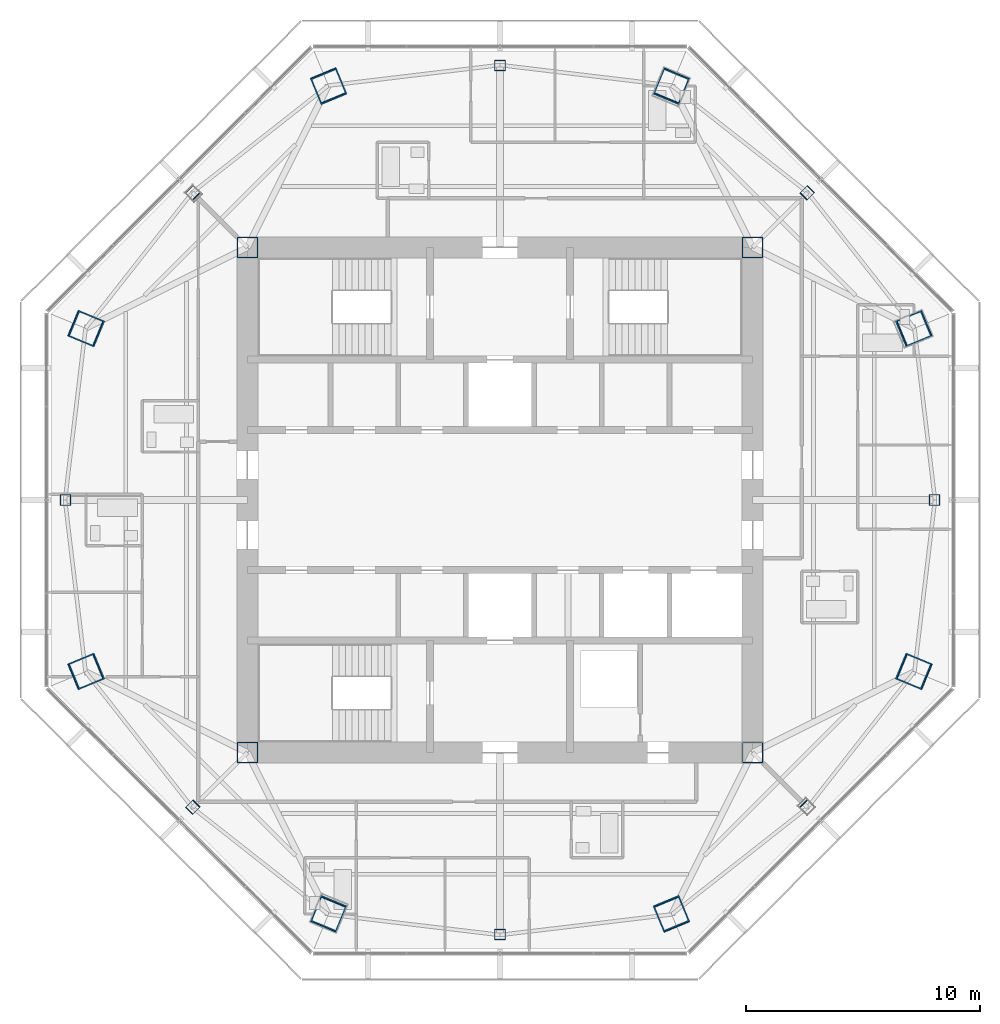
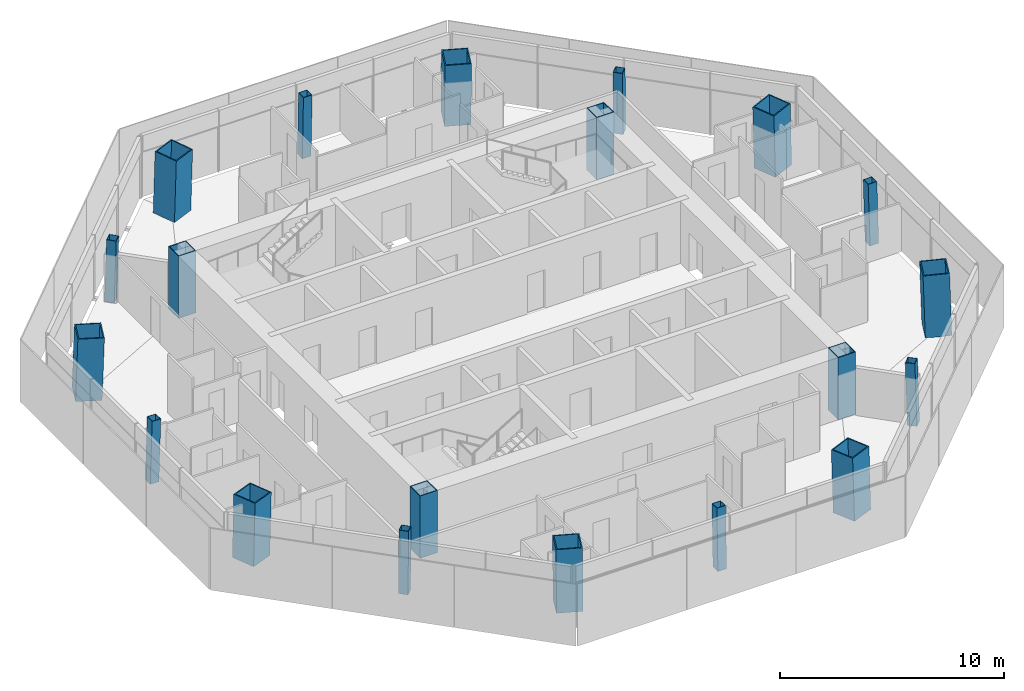
# One storey, part 1 of 15: 20 columns.
"""IFC4 building model written with IfcOpenShell, lengths in metres."""

from ifc_helpers import new_model, si_unit, direction, frame, origin, origin_2d, place, context, subcontext, project, spatial, hollow_rectangle, extrude, material, material_profile, profile_set, type_object, element, save


model = new_model("IFC4")

# Units and contexts
model_context = context("Model", 3, precision=1e-05, world=origin(), true_north=direction((0.0, 1.0)))
body_context = subcontext(model_context, "Body", "Model", "MODEL_VIEW")
ifc_project = project(units=[si_unit("LENGTHUNIT", "METRE"), si_unit("AREAUNIT", "SQUARE_METRE"), si_unit("VOLUMEUNIT", "CUBIC_METRE"), si_unit("PLANEANGLEUNIT", "RADIAN"), si_unit("MASSUNIT", "GRAM", prefix="KILO")], contexts=[model_context])

# Site, building, storey
site_placement = place(None, origin())
site = spatial("IfcSite", under=ifc_project, at=site_placement, CompositionType="ELEMENT")
building_placement = place(site_placement, origin())
building = spatial("IfcBuilding", under=site, at=building_placement, Name="Mashrafa Tower", CompositionType="ELEMENT")
storey_placement = place(building_placement, frame((0.0, 0.0, 304.800048828125)))
storey = spatial("IfcBuildingStorey", under=building, at=storey_placement, Name="L75", CompositionType="ELEMENT", Elevation=304.800048828125)

# Columns
ifc_material_1 = material(Name="Steel ASTM A572 Gr 50", Category="steel")
ifc_material_profile_1 = material_profile(ifc_material_1, hollow_rectangle(XDim=0.89990234375, YDim=0.89990234375, WallThickness=0.0400390625, at=origin_2d()), Name="BOX900X900X40")
ifc_profile_set_1 = profile_set([ifc_material_profile_1], Name="Steel ASTM A572 Gr 50")
column_type_1 = type_object("IfcColumnType", Name="Core corner column BOX900X900X40", PredefinedType="COLUMN", material=ifc_profile_set_1)
for number, where, z_axis, x_axis, name in (
    (1, (10.800048828125, 10.800048828125, 0.0), (0.0, 0.0, 1.0), (1.0, 0.0, 0.0), "Core corner column CC-NE L75"),
    (2, (-10.800048828125, 10.800048828125, 0.0), (0.0, 0.0, 1.0), (1.0, 0.0, 0.0), "Core corner column CC-NW L75"),
    (3, (-10.800048828125, -10.800048828125, 0.0), (0.0, 0.0, 1.0), (1.0, 0.0, 0.0), "Core corner column CC-SW L75"),
    (4, (10.800048828125, -10.800048828125, 0.0), (0.0, 0.0, 1.0), (1.0, 0.0, 0.0), "Core corner column CC-SE L75"),
):
    element("IfcColumn", number, at=place(storey_placement, frame(where, z_axis=z_axis, x_axis=x_axis)), inside=storey, type_object=column_type_1, Name=name, PredefinedType="COLUMN", context=body_context, shape_type="SweptSolid", body=[
        extrude(hollow_rectangle(XDim=0.89990234375, YDim=0.89990234375, WallThickness=0.0400390625, at=origin_2d()), origin(), (0.0, 0.0, 1.0), 3.39990234375),
    ])
ifc_material_2 = material(Name="Steel ASTM A572 Gr 50", Category="steel")
ifc_material_profile_2 = material_profile(ifc_material_2, hollow_rectangle(XDim=1.199951171875, YDim=1.199951171875, WallThickness=0.054931640625, at=origin_2d()), Name="BOX1200X1200X55")
ifc_profile_set_2 = profile_set([ifc_material_profile_2], Name="Steel ASTM A572 Gr 50")
column_type_2 = type_object("IfcColumnType", Name="Mega column CFST BOX1200X1200X55", PredefinedType="COLUMN", material=ifc_profile_set_2)
for number, where, z_axis, x_axis, name in (
    (5, (17.714111328125, 7.33740234375, 0.0), (-0.02827915051, -0.01169924247, 0.999531598986), (0.382282742426, -0.924045401938, 0.0), "Mega column MC1 L75"),
    (6, (7.33740234375, 17.714111328125, 0.0), (-0.01169924247, -0.02827915051, 0.999531598986), (0.924045401938, -0.382282742426, 0.0), "Mega column MC2 L75"),
    (7, (-7.33740234375, 17.714111328125, 0.0), (0.01169924247, -0.02827915051, 0.999531598986), (0.924045401938, 0.382282742426, 0.0), "Mega column MC3 L75"),
    (8, (-17.714111328125, 7.33740234375, 0.0), (0.02827915051, -0.01169924247, 0.999531598986), (0.382282742426, 0.924045401938, 0.0), "Mega column MC4 L75"),
    (9, (-17.714111328125, -7.33740234375, 0.0), (0.02827915051, 0.01169924247, 0.999531598986), (-0.382282742426, 0.924045401938, 0.0), "Mega column MC5 L75"),
    (10, (-7.33740234375, -17.714111328125, 0.0), (0.01169924247, 0.02827915051, 0.999531598986), (-0.924045401938, 0.382282742426, 0.0), "Mega column MC6 L75"),
    (11, (7.33740234375, -17.714111328125, 0.0), (-0.01169924247, 0.02827915051, 0.999531598986), (-0.924045401938, -0.382282742426, 0.0), "Mega column MC7 L75"),
    (12, (17.714111328125, -7.33740234375, 0.0), (-0.02827915051, 0.01169924247, 0.999531598986), (-0.382282742426, -0.924045401938, 0.0), "Mega column MC8 L75"),
):
    element("IfcColumn", number, at=place(storey_placement, frame(where, z_axis=z_axis, x_axis=x_axis)), inside=storey, type_object=column_type_2, Name=name, PredefinedType="COLUMN", context=body_context, shape_type="SweptSolid", body=[
        extrude(hollow_rectangle(XDim=1.199951171875, YDim=1.199951171875, WallThickness=0.054931640625, at=origin_2d()), origin(), (0.0, 0.0, 1.0), 3.401611328125),
    ])
ifc_material_3 = material(Name="Steel ASTM A572 Gr 50", Category="steel")
ifc_material_profile_3 = material_profile(ifc_material_3, hollow_rectangle(XDim=0.449951171875, YDim=0.449951171875, WallThickness=0.02001953125, at=origin_2d()), Name="BOX450X450X20")
ifc_profile_set_3 = profile_set([ifc_material_profile_3], Name="Steel ASTM A572 Gr 50")
column_type_3 = type_object("IfcColumnType", Name="Secondary column BOX450X450X20", PredefinedType="COLUMN", material=ifc_profile_set_3)
for number, where, z_axis, x_axis, name in (
    (13, (18.59228515625, 0.0, 0.0), (-0.028281086024, 0.0, 0.999600010091), (0.0, -1.0, 0.0), "Secondary column SC1 L75"),
    (14, (13.146728515625, 13.146728515625, 0.0), (-0.01995470925, -0.01995470925, 0.999601730269), (0.707106781187, -0.707106781187, 0.0), "Secondary column SC2 L75"),
    (15, (0.0, 18.59228515625, 0.0), (0.0, -0.028281086024, 0.999600010091), (1.0, 0.0, 0.0), "Secondary column SC3 L75"),
    (16, (-13.146728515625, 13.146728515625, 0.0), (0.01995470925, -0.01995470925, 0.999601730269), (0.707106781187, 0.707106781187, 0.0), "Secondary column SC4 L75"),
    (17, (-18.59228515625, 0.0, 0.0), (0.028281086024, 0.0, 0.999600010091), (0.0, 1.0, 0.0), "Secondary column SC5 L75"),
    (18, (-13.146728515625, -13.146728515625, 0.0), (0.01995470925, 0.01995470925, 0.999601730269), (-0.707106781187, 0.707106781187, 0.0), "Secondary column SC6 L75"),
    (19, (0.0, -18.59228515625, 0.0), (0.0, 0.028281086024, 0.999600010091), (-1.0, 0.0, 0.0), "Secondary column SC7 L75"),
    (20, (13.146728515625, -13.146728515625, 0.0), (-0.01995470925, 0.01995470925, 0.999601730269), (-0.707106781187, -0.707106781187, 0.0), "Secondary column SC8 L75"),
):
    element("IfcColumn", number, at=place(storey_placement, frame(where, z_axis=z_axis, x_axis=x_axis)), inside=storey, type_object=column_type_3, Name=name, PredefinedType="COLUMN", context=body_context, shape_type="SweptSolid", body=[
        extrude(hollow_rectangle(XDim=0.449951171875, YDim=0.449951171875, WallThickness=0.02001953125, at=origin_2d()), origin(), (0.0, 0.0, 1.0), 3.4013671875),
    ])

save(model, "model.ifc")
